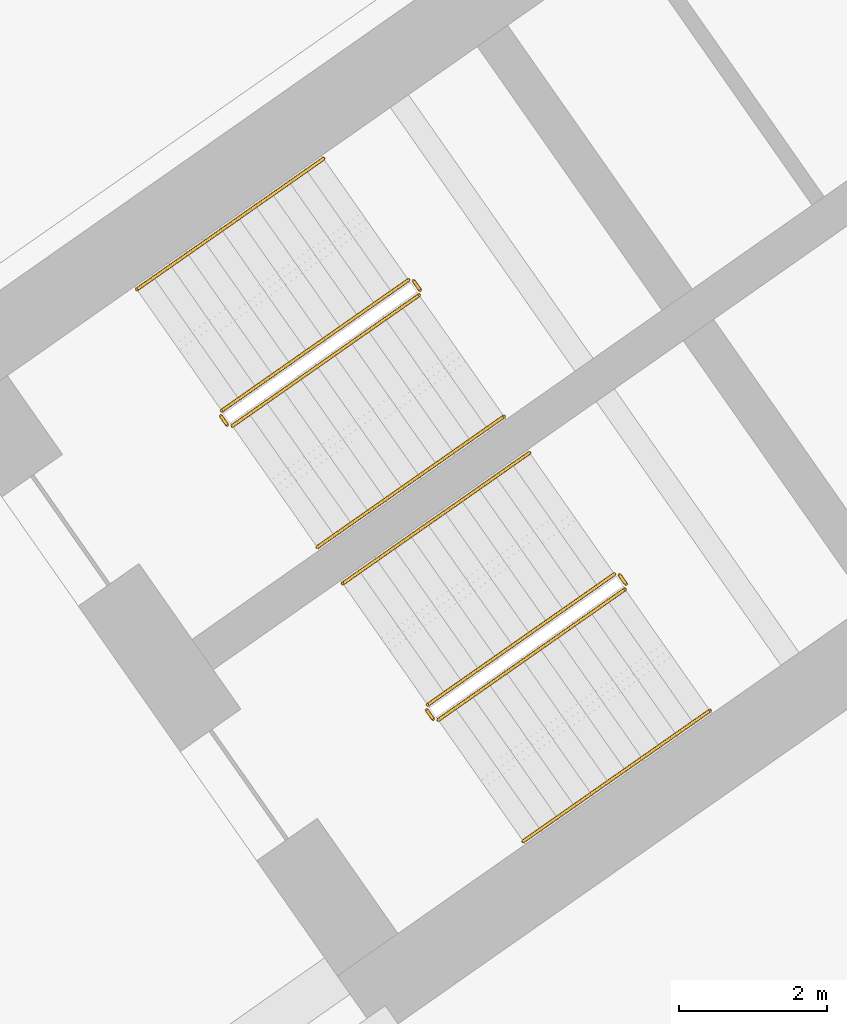
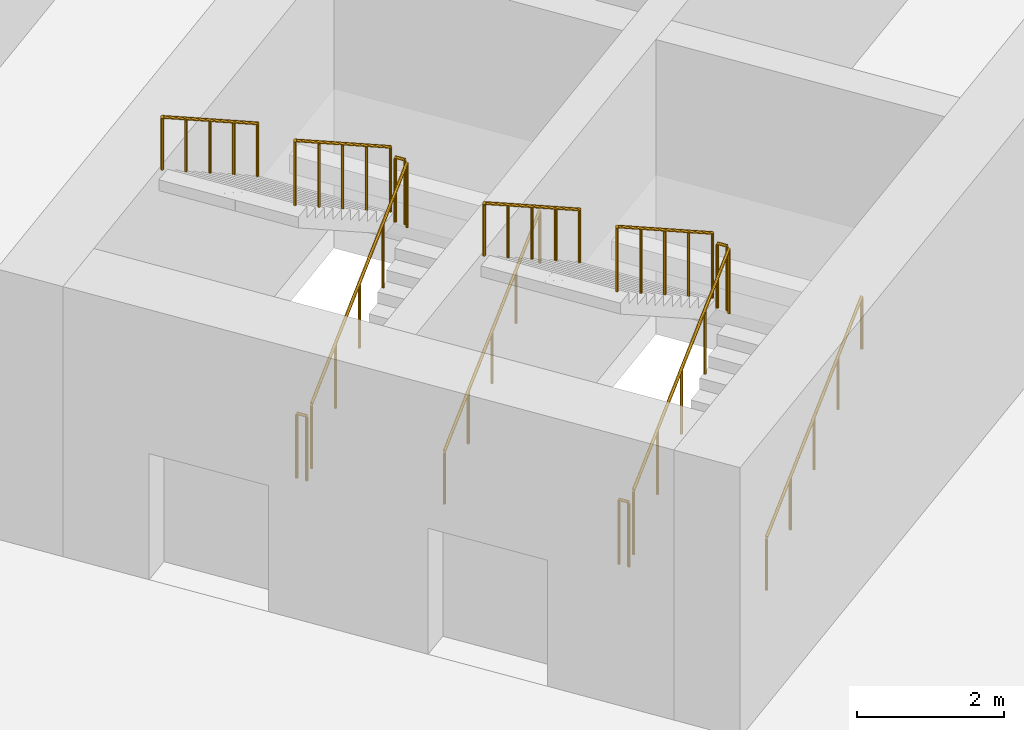
# One storey, part 10 of 11: 12 railings.
"""IFC4 building model written with IfcOpenShell, lengths in metres."""

from ifc_helpers import new_model, si_unit, direction, frame, origin, origin_2d, place, context, subcontext, project, spatial, circle, extrude, material, type_object, element, save


model = new_model("IFC4")

# Units and contexts
model_context = context("Model", 3, precision=1e-05, world=origin(), true_north=direction((0.0, 1.0)))
body_context = subcontext(model_context, "Body", "Model", "MODEL_VIEW")
ifc_project = project(units=[si_unit("LENGTHUNIT", "METRE"), si_unit("AREAUNIT", "SQUARE_METRE"), si_unit("VOLUMEUNIT", "CUBIC_METRE"), si_unit("PLANEANGLEUNIT", "RADIAN"), si_unit("MASSUNIT", "GRAM", prefix="KILO")], contexts=[model_context])

# Site, building, storey
site_placement = place(None, origin())
site = spatial("IfcSite", under=ifc_project, at=site_placement, CompositionType="ELEMENT")
building_placement = place(site_placement, origin())
building = spatial("IfcBuilding", under=site, at=building_placement, Name="Tel Ilan Convention Tower", CompositionType="ELEMENT")
storey_placement = place(building_placement, frame((0.0, 0.0, -4.5)))
storey = spatial("IfcBuildingStorey", under=building, at=storey_placement, Name="B1", CompositionType="ELEMENT", Elevation=-4.5)

# Railings
ifc_material_1 = material(Name="Stainless Steel Grade 316", Category="steel")
railing_type_1 = type_object("IfcRailingType", Name="Stainless Steel Stair Guard 1100 mm", PredefinedType="GUARDRAIL", material=ifc_material_1)
railing_1_placement = place(storey_placement, frame((-23.535400390625, -8.056396484375, 0.1875)))
element("IfcRailing", 1, at=railing_1_placement, inside=storey, type_object=railing_type_1, Name="B1 S1 stair guard 1", PredefinedType="GUARDRAIL", context=body_context, shape_type="SweptSolid", body=[
    extrude(circle(Radius=0.02392578125, at=origin_2d()), frame((0.0, 0.0, 1.076171875), z_axis=(0.680634867305, 0.476589307124, 0.556416040158), x_axis=(-0.573579377721, 0.819149984711, 0.0)), (0.0, 0.0, 1.0), 3.706787109375),
    extrude(circle(Radius=0.02099609375, at=origin_2d()), origin(), (0.0, 0.0, 1.0), 1.052001953125),
    extrude(circle(Radius=0.02099609375, at=origin_2d()), frame((0.630859375, 0.441650390625, 0.515625)), (0.0, 0.0, 1.0), 1.052001953125),
    extrude(circle(Radius=0.02099609375, at=origin_2d()), frame((1.261474609375, 0.88330078125, 1.03125)), (0.0, 0.0, 1.0), 1.052001953125),
    extrude(circle(Radius=0.02099609375, at=origin_2d()), frame((1.89208984375, 1.324951171875, 1.546875)), (0.0, 0.0, 1.0), 1.052001953125),
    extrude(circle(Radius=0.02099609375, at=origin_2d()), frame((2.52294921875, 1.7666015625, 2.0625)), (0.0, 0.0, 1.0), 1.052001953125),
])
railing_2_placement = place(storey_placement, frame((-21.000244140625, -6.219970703125, 2.25)))
element("IfcRailing", 2, at=railing_2_placement, inside=storey, type_object=railing_type_1, Name="B1 S1 stair guard 2", PredefinedType="GUARDRAIL", context=body_context, shape_type="SweptSolid", body=[
    extrude(circle(Radius=0.02392578125, at=origin_2d()), frame((0.0, 0.0, 1.076171875), z_axis=(-0.573353020881, 0.819308436089, 0.0), x_axis=(-0.819308436089, -0.573353020881, 0.0)), (0.0, 0.0, 1.0), 0.14990234375),
    extrude(circle(Radius=0.02099609375, at=origin_2d()), origin(), (0.0, 0.0, 1.0), 1.052001953125),
    extrude(circle(Radius=0.02099609375, at=origin_2d()), frame((-0.0859375, 0.122802734375, 0.0)), (0.0, 0.0, 1.0), 1.052001953125),
])
railing_3_placement = place(storey_placement, frame((-21.15576171875, -6.0849609375, 2.4375)))
element("IfcRailing", 3, at=railing_3_placement, inside=storey, type_object=railing_type_1, Name="B1 S1 stair guard 3", PredefinedType="GUARDRAIL", context=body_context, shape_type="SweptSolid", body=[
    extrude(circle(Radius=0.02392578125, at=origin_2d()), frame((0.0, 0.0, 1.076171875), z_axis=(-0.680634867305, -0.476589307124, 0.556416040158), x_axis=(0.573579377721, -0.819149984711, 0.0)), (0.0, 0.0, 1.0), 3.706787109375),
    extrude(circle(Radius=0.02099609375, at=origin_2d()), origin(), (0.0, 0.0, 1.0), 1.052001953125),
    extrude(circle(Radius=0.02099609375, at=origin_2d()), frame((-0.630859375, -0.441650390625, 0.515625)), (0.0, 0.0, 1.0), 1.052001953125),
    extrude(circle(Radius=0.02099609375, at=origin_2d()), frame((-1.261474609375, -0.88330078125, 1.03125)), (0.0, 0.0, 1.0), 1.052001953125),
    extrude(circle(Radius=0.02099609375, at=origin_2d()), frame((-1.89208984375, -1.324951171875, 1.546875)), (0.0, 0.0, 1.0), 1.052001953125),
    extrude(circle(Radius=0.02099609375, at=origin_2d()), frame((-2.52294921875, -1.7666015625, 2.0625)), (0.0, 0.0, 1.0), 1.052001953125),
])
railing_4_placement = place(storey_placement, frame((-23.60498046875, -8.0439453125, 0.0)))
element("IfcRailing", 4, at=railing_4_placement, inside=storey, type_object=railing_type_1, Name="B1 S1 stair guard 4", PredefinedType="GUARDRAIL", context=body_context, shape_type="SweptSolid", body=[
    extrude(circle(Radius=0.02392578125, at=origin_2d()), frame((0.0, 0.0, 1.076171875), z_axis=(-0.574444878118, 0.818543268254, 0.0), x_axis=(-0.818543268254, -0.574444878118, 0.0)), (0.0, 0.0, 1.0), 0.150146484375),
    extrude(circle(Radius=0.02099609375, at=origin_2d()), origin(), (0.0, 0.0, 1.0), 1.052001953125),
    extrude(circle(Radius=0.02099609375, at=origin_2d()), frame((-0.086181640625, 0.122802734375, 0.0)), (0.0, 0.0, 1.0), 1.052001953125),
])
railing_5_placement = place(storey_placement, frame((-20.753662109375, -12.029296875, 0.1875)))
element("IfcRailing", 5, at=railing_5_placement, inside=storey, type_object=railing_type_1, Name="B1 S2 stair guard 1", PredefinedType="GUARDRAIL", context=body_context, shape_type="SweptSolid", body=[
    extrude(circle(Radius=0.02392578125, at=origin_2d()), frame((0.0, 0.0, 1.076171875), z_axis=(0.680670216326, 0.476567942461, 0.556391097003), x_axis=(-0.573542135923, 0.819176060637, 0.0)), (0.0, 0.0, 1.0), 3.70703125),
    extrude(circle(Radius=0.02099609375, at=origin_2d()), origin(), (0.0, 0.0, 1.0), 1.052001953125),
    extrude(circle(Radius=0.02099609375, at=origin_2d()), frame((0.630859375, 0.441650390625, 0.515625)), (0.0, 0.0, 1.0), 1.052001953125),
    extrude(circle(Radius=0.02099609375, at=origin_2d()), frame((1.26171875, 0.88330078125, 1.03125)), (0.0, 0.0, 1.0), 1.052001953125),
    extrude(circle(Radius=0.02099609375, at=origin_2d()), frame((1.892333984375, 1.324951171875, 1.546875)), (0.0, 0.0, 1.0), 1.052001953125),
    extrude(circle(Radius=0.02099609375, at=origin_2d()), frame((2.523193359375, 1.7666015625, 2.0625)), (0.0, 0.0, 1.0), 1.052001953125),
])
railing_6_placement = place(storey_placement, frame((-18.21826171875, -10.19287109375, 2.25)))
element("IfcRailing", 6, at=railing_6_placement, inside=storey, type_object=railing_type_1, Name="B1 S2 stair guard 2", PredefinedType="GUARDRAIL", context=body_context, shape_type="SweptSolid", body=[
    extrude(circle(Radius=0.02392578125, at=origin_2d()), frame((0.0, 0.0, 1.076171875), z_axis=(-0.574444878118, 0.818543268254, 0.0), x_axis=(-0.818543268254, -0.574444878118, 0.0)), (0.0, 0.0, 1.0), 0.150146484375),
    extrude(circle(Radius=0.02099609375, at=origin_2d()), origin(), (0.0, 0.0, 1.0), 1.052001953125),
    extrude(circle(Radius=0.02099609375, at=origin_2d()), frame((-0.086181640625, 0.122802734375, 0.0)), (0.0, 0.0, 1.0), 1.052001953125),
])
railing_7_placement = place(storey_placement, frame((-18.3740234375, -10.057861328125, 2.4375)))
element("IfcRailing", 7, at=railing_7_placement, inside=storey, type_object=railing_type_1, Name="B1 S2 stair guard 3", PredefinedType="GUARDRAIL", context=body_context, shape_type="SweptSolid", body=[
    extrude(circle(Radius=0.02392578125, at=origin_2d()), frame((0.0, 0.0, 1.076171875), z_axis=(-0.680634867305, -0.476589307124, 0.556416040158), x_axis=(0.573579377721, -0.819149984711, 0.0)), (0.0, 0.0, 1.0), 3.706787109375),
    extrude(circle(Radius=0.02099609375, at=origin_2d()), origin(), (0.0, 0.0, 1.0), 1.052001953125),
    extrude(circle(Radius=0.02099609375, at=origin_2d()), frame((-0.630859375, -0.441650390625, 0.515625)), (0.0, 0.0, 1.0), 1.052001953125),
    extrude(circle(Radius=0.02099609375, at=origin_2d()), frame((-1.261474609375, -0.88330078125, 1.03125)), (0.0, 0.0, 1.0), 1.052001953125),
    extrude(circle(Radius=0.02099609375, at=origin_2d()), frame((-1.89208984375, -1.324951171875, 1.546875)), (0.0, 0.0, 1.0), 1.052001953125),
    extrude(circle(Radius=0.02099609375, at=origin_2d()), frame((-2.52294921875, -1.7666015625, 2.0625)), (0.0, 0.0, 1.0), 1.052001953125),
])
railing_8_placement = place(storey_placement, frame((-20.8232421875, -12.016845703125, 0.0)))
element("IfcRailing", 8, at=railing_8_placement, inside=storey, type_object=railing_type_1, Name="B1 S2 stair guard 4", PredefinedType="GUARDRAIL", context=body_context, shape_type="SweptSolid", body=[
    extrude(circle(Radius=0.02392578125, at=origin_2d()), frame((0.0, 0.0, 1.076171875), z_axis=(-0.573353020881, 0.819308436089, 0.0), x_axis=(-0.819308436089, -0.573353020881, 0.0)), (0.0, 0.0, 1.0), 0.14990234375),
    extrude(circle(Radius=0.02099609375, at=origin_2d()), origin(), (0.0, 0.0, 1.0), 1.052001953125),
    extrude(circle(Radius=0.02099609375, at=origin_2d()), frame((-0.0859375, 0.122802734375, 0.0)), (0.0, 0.0, 1.0), 1.052001953125),
])
ifc_material_2 = material(Name="Stainless Steel Grade 316", Category="steel")
railing_type_2 = type_object("IfcRailingType", Name="Stainless Steel Stair Handrail 900 mm", PredefinedType="HANDRAIL", material=ifc_material_2)
railing_9_placement = place(storey_placement, frame((-22.38818359375, -9.694580078125, 0.1875)))
element("IfcRailing", 9, at=railing_9_placement, inside=storey, type_object=railing_type_2, Name="B1 S1 stair handrail 1", PredefinedType="HANDRAIL", context=body_context, shape_type="SweptSolid", body=[
    extrude(circle(Radius=0.02392578125, at=origin_2d()), frame((0.0, 0.0, 0.8759765625), z_axis=(0.680634867305, 0.476589307124, 0.556416040158), x_axis=(-0.573579377721, 0.819149984711, 0.0)), (0.0, 0.0, 1.0), 3.706787109375),
    extrude(circle(Radius=0.02099609375, at=origin_2d()), origin(), (0.0, 0.0, 1.0), 0.851806640625),
    extrude(circle(Radius=0.02099609375, at=origin_2d()), frame((0.630859375, 0.441650390625, 0.515625)), (0.0, 0.0, 1.0), 0.851806640625),
    extrude(circle(Radius=0.02099609375, at=origin_2d()), frame((1.261474609375, 0.88330078125, 1.03125)), (0.0, 0.0, 1.0), 0.851806640625),
    extrude(circle(Radius=0.02099609375, at=origin_2d()), frame((1.89208984375, 1.324951171875, 1.546875)), (0.0, 0.0, 1.0), 0.851806640625),
    extrude(circle(Radius=0.02099609375, at=origin_2d()), frame((2.52294921875, 1.7666015625, 2.0625)), (0.0, 0.0, 1.0), 0.851806640625),
])
railing_10_placement = place(storey_placement, frame((-22.302978515625, -4.446533203125, 2.4375)))
element("IfcRailing", 10, at=railing_10_placement, inside=storey, type_object=railing_type_2, Name="B1 S1 stair handrail 2", PredefinedType="HANDRAIL", context=body_context, shape_type="SweptSolid", body=[
    extrude(circle(Radius=0.02392578125, at=origin_2d()), frame((0.0, 0.0, 0.8759765625), z_axis=(-0.680634867305, -0.476589307124, 0.556416040158), x_axis=(0.573579377721, -0.819149984711, 0.0)), (0.0, 0.0, 1.0), 3.706787109375),
    extrude(circle(Radius=0.02099609375, at=origin_2d()), origin(), (0.0, 0.0, 1.0), 0.851806640625),
    extrude(circle(Radius=0.02099609375, at=origin_2d()), frame((-0.630859375, -0.441650390625, 0.515625)), (0.0, 0.0, 1.0), 0.851806640625),
    extrude(circle(Radius=0.02099609375, at=origin_2d()), frame((-1.261474609375, -0.88330078125, 1.03125)), (0.0, 0.0, 1.0), 0.851806640625),
    extrude(circle(Radius=0.02099609375, at=origin_2d()), frame((-1.89208984375, -1.324951171875, 1.546875)), (0.0, 0.0, 1.0), 0.851806640625),
    extrude(circle(Radius=0.02099609375, at=origin_2d()), frame((-2.52294921875, -1.7666015625, 2.0625)), (0.0, 0.0, 1.0), 0.851806640625),
])
railing_11_placement = place(storey_placement, frame((-19.6064453125, -13.66748046875, 0.1875)))
element("IfcRailing", 11, at=railing_11_placement, inside=storey, type_object=railing_type_2, Name="B1 S2 stair handrail 1", PredefinedType="HANDRAIL", context=body_context, shape_type="SweptSolid", body=[
    extrude(circle(Radius=0.02392578125, at=origin_2d()), frame((0.0, 0.0, 0.8759765625), z_axis=(0.680634867305, 0.476589307124, 0.556416040158), x_axis=(-0.573579377721, 0.819149984711, 0.0)), (0.0, 0.0, 1.0), 3.706787109375),
    extrude(circle(Radius=0.02099609375, at=origin_2d()), origin(), (0.0, 0.0, 1.0), 0.851806640625),
    extrude(circle(Radius=0.02099609375, at=origin_2d()), frame((0.630859375, 0.441650390625, 0.515625)), (0.0, 0.0, 1.0), 0.851806640625),
    extrude(circle(Radius=0.02099609375, at=origin_2d()), frame((1.261474609375, 0.88330078125, 1.03125)), (0.0, 0.0, 1.0), 0.851806640625),
    extrude(circle(Radius=0.02099609375, at=origin_2d()), frame((1.89208984375, 1.324951171875, 1.546875)), (0.0, 0.0, 1.0), 0.851806640625),
    extrude(circle(Radius=0.02099609375, at=origin_2d()), frame((2.52294921875, 1.7666015625, 2.0625)), (0.0, 0.0, 1.0), 0.851806640625),
])
railing_12_placement = place(storey_placement, frame((-19.521240234375, -8.41943359375, 2.4375)))
element("IfcRailing", 12, at=railing_12_placement, inside=storey, type_object=railing_type_2, Name="B1 S2 stair handrail 2", PredefinedType="HANDRAIL", context=body_context, shape_type="SweptSolid", body=[
    extrude(circle(Radius=0.02392578125, at=origin_2d()), frame((0.0, 0.0, 0.8759765625), z_axis=(-0.680634867305, -0.476589307124, 0.556416040158), x_axis=(0.573579377721, -0.819149984711, 0.0)), (0.0, 0.0, 1.0), 3.706787109375),
    extrude(circle(Radius=0.02099609375, at=origin_2d()), origin(), (0.0, 0.0, 1.0), 0.851806640625),
    extrude(circle(Radius=0.02099609375, at=origin_2d()), frame((-0.630859375, -0.441650390625, 0.515625)), (0.0, 0.0, 1.0), 0.851806640625),
    extrude(circle(Radius=0.02099609375, at=origin_2d()), frame((-1.261474609375, -0.88330078125, 1.03125)), (0.0, 0.0, 1.0), 0.851806640625),
    extrude(circle(Radius=0.02099609375, at=origin_2d()), frame((-1.89208984375, -1.324951171875, 1.546875)), (0.0, 0.0, 1.0), 0.851806640625),
    extrude(circle(Radius=0.02099609375, at=origin_2d()), frame((-2.52294921875, -1.7666015625, 2.0625)), (0.0, 0.0, 1.0), 0.851806640625),
])

save(model, "model.ifc")
